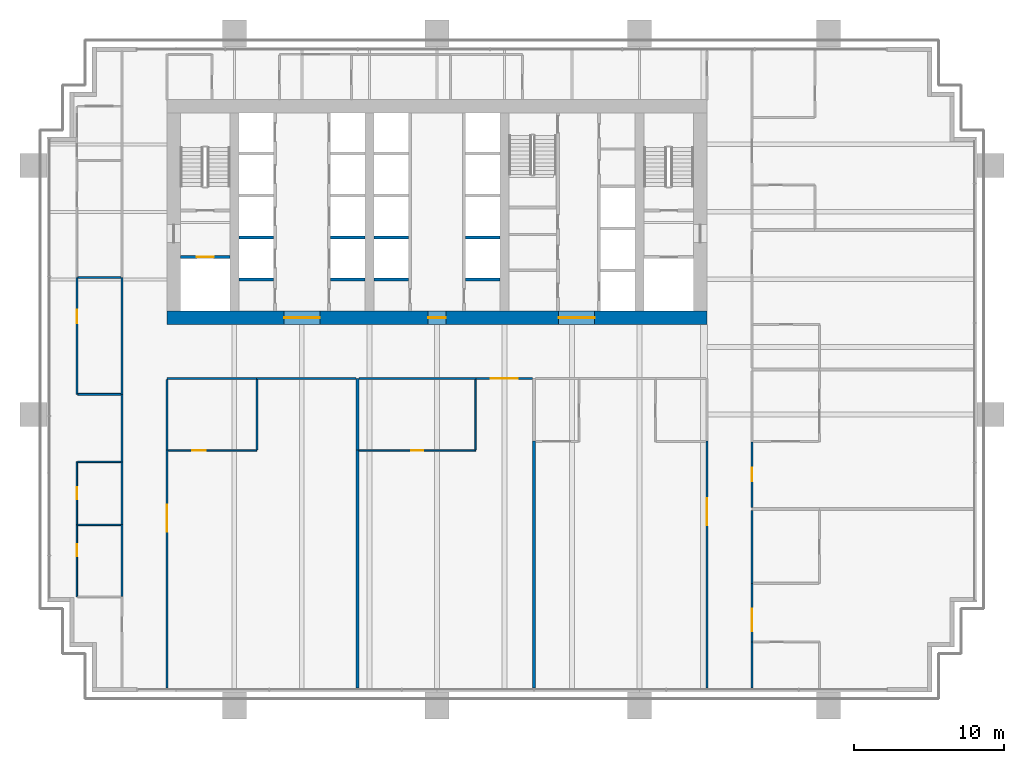
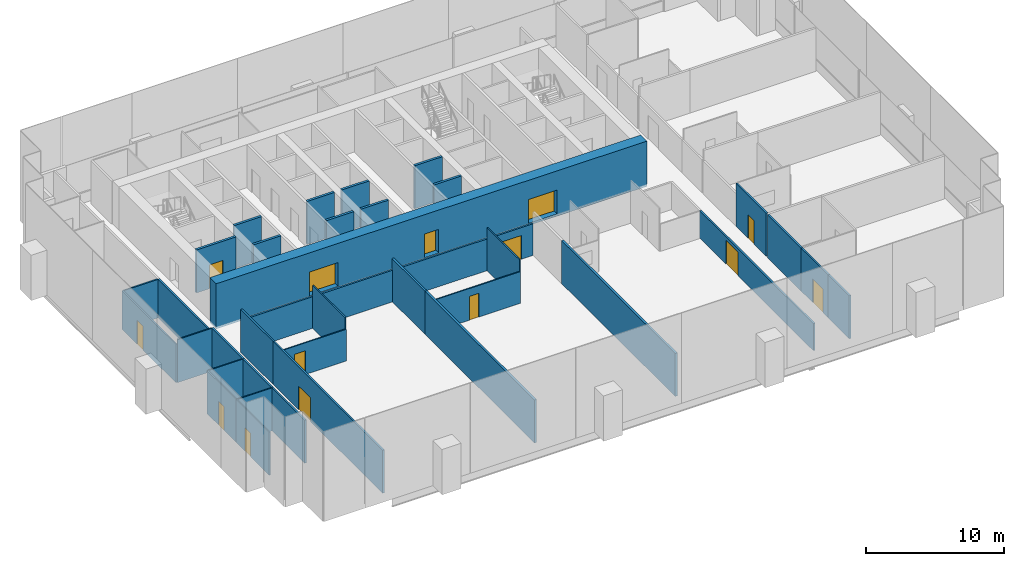
# One storey, part 12 of 19: 39 walls, 14 doors, 14 openings.
"""IFC4 building model written with IfcOpenShell, lengths in metres."""

from ifc_helpers import new_model, si_unit, direction, frame, frame_2d, origin, place, context, subcontext, project, spatial, rectangle, extrude, material, layer, layer_set, type_object, element, fill, save


model = new_model("IFC4")

# Units and contexts
model_context = context("Model", 3, precision=1e-05, world=origin(), true_north=direction((0.0, 1.0)))
body_context = subcontext(model_context, "Body", "Model", "MODEL_VIEW")
ifc_project = project(units=[si_unit("LENGTHUNIT", "METRE"), si_unit("AREAUNIT", "SQUARE_METRE"), si_unit("VOLUMEUNIT", "CUBIC_METRE"), si_unit("PLANEANGLEUNIT", "RADIAN"), si_unit("MASSUNIT", "GRAM", prefix="KILO")], contexts=[model_context])

# Site, building, storey
site_placement = place(None, origin())
site = spatial("IfcSite", under=ifc_project, at=site_placement, CompositionType="ELEMENT")
building_placement = place(site_placement, origin())
building = spatial("IfcBuilding", under=site, at=building_placement, Name="Rattan Terrace Tower", CompositionType="ELEMENT")
storey_placement = place(building_placement, frame((0.0, 0.0, 103.699951171875)))
storey = spatial("IfcBuildingStorey", under=building, at=storey_placement, Name="L23", CompositionType="ELEMENT", Elevation=103.699951171875)

# Wall, opening, door
ifc_material_1 = material(Name="Gypsum board partition")
ifc_layer_1 = layer(ifc_material_1, 0.199951171875)
ifc_layer_set_1 = layer_set([ifc_layer_1], Name="Core partition 200")
wall_type_1 = type_object("IfcWallType", Name="Core partition 200", PredefinedType="PARTITIONING", material=ifc_layer_set_1)
wall_1_placement = place(storey_placement, frame((-17.10009765625, -3.0, 0.0), z_axis=(0.0, 0.0, 1.0), x_axis=(1.0, 0.0, 0.0)))
wall_1 = element("IfcWall", 1, at=wall_1_placement, inside=storey, type_object=wall_type_1, Name="Fire-fighting lobby wall", PredefinedType="PARTITIONING", context=body_context, shape_type="SweptSolid", body=[
    extrude(rectangle(XDim=3.300048828125, YDim=0.199951171875, at=frame_2d((1.64990234375, 0.0))), origin(), (0.0, 0.0, 1.0), 3.800048828125),
])
opening_1_placement = place(wall_1_placement, frame((1.10009765625, 0.0, 0.0)))
opening_1 = element("IfcOpeningElement", 2, at=opening_1_placement, cuts=wall_1, Name="Opening L23-LD-FF1", PredefinedType="OPENING", context=body_context, shape_type="SweptSolid", body=[
    extrude(rectangle(XDim=1.10009765625, YDim=2.10009765625, at=frame_2d((0.550048828125, 1.050048828125))), frame((0.0, 0.110595703125, 0.0), z_axis=(0.0, -1.0, 0.0), x_axis=(1.0, 0.0, 0.0)), (0.0, 0.0, 1.0), 0.220947265625),
])
ifc_material_2 = material(Name="Brushed stainless landing door panel")
door_type_1 = type_object("IfcDoorType", Name="Core lift landing door 1100", OperationType="DOUBLE_DOOR_SLIDING", PredefinedType="DOOR", material=ifc_material_2)
door_1_placement = place(opening_1_placement, origin())
door_1 = element("IfcDoor", 3, at=door_1_placement, inside=storey, type_object=door_type_1, Name="Door L23-LD-FF1", OperationType="DOUBLE_DOOR_SLIDING", OverallHeight=2.10009765625, OverallWidth=1.10009765625, PredefinedType="DOOR", context=body_context, shape_type="SweptSolid", body=[
    extrude(rectangle(XDim=1.10009765625, YDim=2.10009765625, at=frame_2d((0.550048828125, 1.050048828125))), frame((0.0, 0.02490234375, 0.0), z_axis=(0.0, -1.0, 0.0), x_axis=(1.0, 0.0, 0.0)), (0.0, 0.0, 1.0), 0.050048828125),
])
fill(opening_1, door_1)

# Wall, openings, doors
ifc_material_3 = material(Name="Concrete C70/85", Category="concrete")
ifc_layer_2 = layer(ifc_material_3, 0.89990234375)
ifc_layer_set_2 = layer_set([ifc_layer_2], Name="Core ring wall 900 C70/85")
wall_type_2 = type_object("IfcWallType", Name="Core ring wall 900 C70/85", PredefinedType="SHEAR", material=ifc_layer_set_2)
wall_2_placement = place(storey_placement, frame((-18.0, -7.050048828125, -0.199951171875), z_axis=(0.0, 0.0, 1.0), x_axis=(1.0, 0.0, 0.0)))
wall_2 = element("IfcWall", 4, at=wall_2_placement, inside=storey, type_object=wall_type_2, Name="Rear core wall south", PredefinedType="SHEAR", context=body_context, shape_type="SweptSolid", body=[
    extrude(rectangle(XDim=36.0, YDim=0.89990234375, at=frame_2d((18.0, 0.0))), origin(), (0.0, 0.0, 1.0), 4.0),
])
opening_2_placement = place(wall_2_placement, frame((7.800048828125, 0.0, 0.199951171875)))
opening_2 = element("IfcOpeningElement", 5, at=opening_2_placement, cuts=wall_2, Name="Opening L23-D007", PredefinedType="OPENING", context=body_context, shape_type="SweptSolid", body=[
    extrude(rectangle(XDim=2.39990234375, YDim=2.10009765625, at=frame_2d((1.199951171875, 1.050048828125))), frame((0.0, 0.46044921875, 0.0), z_axis=(0.0, -1.0, 0.0), x_axis=(1.0, 0.0, 0.0)), (0.0, 0.0, 1.0), 0.9208984375),
])
opening_3_placement = place(wall_2_placement, frame((17.39990234375, 0.0, 0.199951171875)))
opening_3 = element("IfcOpeningElement", 6, at=opening_3_placement, cuts=wall_2, Name="Opening L23-D010", PredefinedType="OPENING", context=body_context, shape_type="SweptSolid", body=[
    extrude(rectangle(XDim=1.199951171875, YDim=2.10009765625, at=frame_2d((0.60009765625, 1.050048828125))), frame((0.0, 0.46044921875, 0.0), z_axis=(0.0, -1.0, 0.0), x_axis=(1.0, 0.0, 0.0)), (0.0, 0.0, 1.0), 0.9208984375),
])
opening_4_placement = place(wall_2_placement, frame((26.10009765625, 0.0, 0.199951171875)))
opening_4 = element("IfcOpeningElement", 7, at=opening_4_placement, cuts=wall_2, Name="Opening L23-D015", PredefinedType="OPENING", context=body_context, shape_type="SweptSolid", body=[
    extrude(rectangle(XDim=2.39990234375, YDim=2.10009765625, at=frame_2d((1.199951171875, 1.050048828125))), frame((0.0, 0.46044921875, 0.0), z_axis=(0.0, -1.0, 0.0), x_axis=(1.0, 0.0, 0.0)), (0.0, 0.0, 1.0), 0.9208984375),
])
ifc_material_4 = material(Name="Hollow-metal fire door leaf")
door_type_2 = type_object("IfcDoorType", Name="Core lift lobby door 2400", OperationType="NOTDEFINED", PredefinedType="DOOR", material=ifc_material_4)
door_2_placement = place(opening_2_placement, origin())
door_2 = element("IfcDoor", 8, at=door_2_placement, inside=storey, type_object=door_type_2, Name="Door L23-D007", OperationType="DOUBLE_DOOR_DOUBLE_SWING", OverallHeight=2.10009765625, OverallWidth=2.39990234375, PredefinedType="DOOR", context=body_context, shape_type="SweptSolid", body=[
    extrude(rectangle(XDim=2.39990234375, YDim=2.10009765625, at=frame_2d((1.199951171875, 1.050048828125))), frame((0.0, 0.02490234375, 0.0), z_axis=(0.0, -1.0, 0.0), x_axis=(1.0, 0.0, 0.0)), (0.0, 0.0, 1.0), 0.050048828125),
])
fill(opening_2, door_2)
door_3_placement = place(opening_4_placement, origin())
door_3 = element("IfcDoor", 9, at=door_3_placement, inside=storey, type_object=door_type_2, Name="Door L23-D015", OperationType="DOUBLE_DOOR_DOUBLE_SWING", OverallHeight=2.10009765625, OverallWidth=2.39990234375, PredefinedType="DOOR", context=body_context, shape_type="SweptSolid", body=[
    extrude(rectangle(XDim=2.39990234375, YDim=2.10009765625, at=frame_2d((1.199951171875, 1.050048828125))), frame((0.0, 0.02490234375, 0.0), z_axis=(0.0, -1.0, 0.0), x_axis=(1.0, 0.0, 0.0)), (0.0, 0.0, 1.0), 0.050048828125),
])
fill(opening_4, door_3)
ifc_material_5 = material(Name="Hollow-metal fire door leaf")
door_type_3 = type_object("IfcDoorType", Name="Core riser door 1200", OperationType="NOTDEFINED", PredefinedType="DOOR", material=ifc_material_5)
door_4_placement = place(opening_3_placement, origin())
door_4 = element("IfcDoor", 10, at=door_4_placement, inside=storey, type_object=door_type_3, Name="Door L23-D010", OperationType="SINGLE_SWING_LEFT", OverallHeight=2.10009765625, OverallWidth=1.199951171875, PredefinedType="DOOR", context=body_context, shape_type="SweptSolid", body=[
    extrude(rectangle(XDim=1.199951171875, YDim=2.10009765625, at=frame_2d((0.60009765625, 1.050048828125))), frame((0.0, 0.02490234375, 0.0), z_axis=(0.0, -1.0, 0.0), x_axis=(1.0, 0.0, 0.0)), (0.0, 0.0, 1.0), 0.050048828125),
])
fill(opening_3, door_4)

# Walls
ifc_material_6 = material(Name="Double steel stud acoustic partition, gypsum board, mineral wool, fire rated", Category="steel")
ifc_layer_3 = layer(ifc_material_6, 0.179931640625)
ifc_layer_set_3 = layer_set([ifc_layer_3], Name="Floors Acoustic Party Wall 180")
wall_type_3 = type_object("IfcWallType", Name="Floors Acoustic Party Wall 180", PredefinedType="PARTITIONING", material=ifc_layer_set_3)
wall_3_placement = place(storey_placement, frame((-5.2939453125, -15.8798828125, 0.0), z_axis=(0.0, 0.0, 1.0), x_axis=(0.0, -1.0, 0.0)))
element("IfcWall", 11, at=wall_3_placement, inside=storey, type_object=wall_type_3, Name="pt-L23-073", PredefinedType="PARTITIONING", context=body_context, shape_type="SweptSolid", body=[
    extrude(rectangle(XDim=15.860107421875, YDim=0.179931640625, at=frame_2d((7.93017578125, 0.0))), origin(), (0.0, 0.0, 1.0), 3.800048828125),
])
wall_4_placement = place(storey_placement, frame((-5.2939453125, -11.10009765625, 0.0), z_axis=(0.0, 0.0, 1.0), x_axis=(0.0, -1.0, 0.0)))
element("IfcWall", 12, at=wall_4_placement, inside=storey, type_object=wall_type_3, Name="pt-L23-074", PredefinedType="PARTITIONING", context=body_context, shape_type="SweptSolid", body=[
    extrude(rectangle(XDim=4.77978515625, YDim=0.179931640625, at=frame_2d((2.389892578125, 0.0))), origin(), (0.0, 0.0, 1.0), 3.800048828125),
])
wall_5_placement = place(storey_placement, frame((6.470947265625, -15.280029296875, 0.0), z_axis=(0.0, 0.0, 1.0), x_axis=(0.0, -1.0, 0.0)))
element("IfcWall", 13, at=wall_5_placement, inside=storey, type_object=wall_type_3, Name="pt-L23-077", PredefinedType="PARTITIONING", context=body_context, shape_type="SweptSolid", body=[
    extrude(rectangle(XDim=16.4599609375, YDim=0.179931640625, at=frame_2d((8.22998046875, 0.0))), origin(), (0.0, 0.0, 1.0), 3.800048828125),
])

# Wall, opening, door
ifc_material_7 = material(Name="Gypsum board partition on steel studs", Category="steel")
ifc_layer_4 = layer(ifc_material_7, 0.10009765625)
ifc_layer_set_4 = layer_set([ifc_layer_4], Name="Floors Partition 100")
wall_type_4 = type_object("IfcWallType", Name="Floors Partition 100", PredefinedType="PARTITIONING", material=ifc_layer_set_4)
wall_6_placement = place(storey_placement, frame((-24.0, -20.840087890625, 0.0), z_axis=(0.0, 0.0, 1.0), x_axis=(0.0, -1.0, 0.0)))
wall_6 = element("IfcWall", 14, at=wall_6_placement, inside=storey, type_object=wall_type_4, Name="pt-L23-032", PredefinedType="PARTITIONING", context=body_context, shape_type="SweptSolid", body=[
    extrude(rectangle(XDim=4.81982421875, YDim=0.10009765625, at=frame_2d((2.409912109375, 0.0))), origin(), (0.0, 0.0, 1.0), 3.800048828125),
])
opening_5_placement = place(wall_6_placement, frame((1.305908203125, 0.0, 0.0)))
opening_5 = element("IfcOpeningElement", 15, at=opening_5_placement, cuts=wall_6, Name="Opening L23-D101", PredefinedType="OPENING", context=body_context, shape_type="SweptSolid", body=[
    extrude(rectangle(XDim=0.800048828125, YDim=2.10009765625, at=frame_2d((0.39990234375, 1.050048828125))), frame((0.0, 0.060546875, 0.0), z_axis=(0.0, -1.0, 0.0), x_axis=(1.0, 0.0, 0.0)), (0.0, 0.0, 1.0), 0.12109375),
])
ifc_material_8 = material(Name="Solid core timber door, painted", Category="wood")
door_type_4 = type_object("IfcDoorType", Name="Floors Store Door 800x2100", OperationType="NOTDEFINED", PredefinedType="DOOR", material=ifc_material_8)
door_5_placement = place(opening_5_placement, origin())
door_5 = element("IfcDoor", 16, at=door_5_placement, inside=storey, type_object=door_type_4, Name="d-L23-101", OperationType="SINGLE_SWING_LEFT", OverallHeight=2.10009765625, OverallWidth=0.800048828125, PredefinedType="DOOR", context=body_context, shape_type="SweptSolid", body=[
    extrude(rectangle(XDim=0.800048828125, YDim=2.10009765625, at=frame_2d((0.39990234375, 1.050048828125))), frame((0.0, 0.02490234375, 0.0), z_axis=(0.0, -1.0, 0.0), x_axis=(1.0, 0.0, 0.0)), (0.0, 0.0, 1.0), 0.050048828125),
])
fill(opening_5, door_5)

wall_7_placement = place(storey_placement, frame((-24.0, -16.659912109375, 0.0), z_axis=(0.0, 0.0, 1.0), x_axis=(0.0, -1.0, 0.0)))
wall_7 = element("IfcWall", 17, at=wall_7_placement, inside=storey, type_object=wall_type_4, Name="pt-L23-034", PredefinedType="PARTITIONING", context=body_context, shape_type="SweptSolid", body=[
    extrude(rectangle(XDim=4.18017578125, YDim=0.10009765625, at=frame_2d((2.090087890625, 0.0))), origin(), (0.0, 0.0, 1.0), 3.800048828125),
])
opening_6_placement = place(wall_7_placement, frame((1.68994140625, 0.0, 0.0)))
opening_6 = element("IfcOpeningElement", 18, at=opening_6_placement, cuts=wall_7, Name="Opening L23-D102", PredefinedType="OPENING", context=body_context, shape_type="SweptSolid", body=[
    extrude(rectangle(XDim=0.800048828125, YDim=2.10009765625, at=frame_2d((0.39990234375, 1.050048828125))), frame((0.0, 0.060546875, 0.0), z_axis=(0.0, -1.0, 0.0), x_axis=(1.0, 0.0, 0.0)), (0.0, 0.0, 1.0), 0.12109375),
])
door_6_placement = place(opening_6_placement, origin())
door_6 = element("IfcDoor", 19, at=door_6_placement, inside=storey, type_object=door_type_4, Name="d-L23-102", OperationType="SINGLE_SWING_LEFT", OverallHeight=2.10009765625, OverallWidth=0.800048828125, PredefinedType="DOOR", context=body_context, shape_type="SweptSolid", body=[
    extrude(rectangle(XDim=0.800048828125, YDim=2.10009765625, at=frame_2d((0.39990234375, 1.050048828125))), frame((0.0, 0.02490234375, 0.0), z_axis=(0.0, -1.0, 0.0), x_axis=(1.0, 0.0, 0.0)), (0.0, 0.0, 1.0), 0.050048828125),
])
fill(opening_6, door_6)

# Walls
for number, where, z_axis, x_axis, name in (
    (20, (-21.074951171875, -16.659912109375, 0.0), (0.0, 0.0, 1.0), (-1.0, 0.0, 0.0), "pt-L23-035"),
    (21, (-23.949951171875, -20.860107421875, 0.0), (0.0, 0.0, 1.0), (1.0, 0.0, 0.0), "pt-L23-041"),
):
    element("IfcWall", number, at=place(storey_placement, frame(where, z_axis=z_axis, x_axis=x_axis)), inside=storey, type_object=wall_type_4, Name=name, PredefinedType="PARTITIONING", context=body_context, shape_type="SweptSolid", body=[
        extrude(rectangle(XDim=2.875, YDim=0.10009765625, at=frame_2d((1.4375, 0.0))), origin(), (0.0, 0.0, 1.0), 3.800048828125),
    ])

# Wall, opening, door
wall_8_placement = place(storey_placement, frame((-17.925048828125, -15.89990234375, 0.0), z_axis=(0.0, 0.0, 1.0), x_axis=(1.0, 0.0, 0.0)))
wall_8 = element("IfcWall", 22, at=wall_8_placement, inside=storey, type_object=wall_type_4, Name="pt-L23-071", PredefinedType="PARTITIONING", context=body_context, shape_type="SweptSolid", body=[
    extrude(rectangle(XDim=5.925048828125, YDim=0.10009765625, at=frame_2d((2.96240234375, 0.0))), origin(), (0.0, 0.0, 1.0), 2.800048828125),
])
opening_7_placement = place(wall_8_placement, frame((1.60791015625, 0.0, 0.0)))
opening_7 = element("IfcOpeningElement", 23, at=opening_7_placement, cuts=wall_8, Name="Opening L23-D122", PredefinedType="OPENING", context=body_context, shape_type="SweptSolid", body=[
    extrude(rectangle(XDim=0.89990234375, YDim=2.10009765625, at=frame_2d((0.449951171875, 1.050048828125))), frame((0.0, 0.060546875, 0.0), z_axis=(0.0, -1.0, 0.0), x_axis=(1.0, 0.0, 0.0)), (0.0, 0.0, 1.0), 0.12109375),
])
ifc_material_9 = material(Name="Solid core timber door, painted", Category="wood")
door_type_5 = type_object("IfcDoorType", Name="Floors Door 900x2100", OperationType="NOTDEFINED", PredefinedType="DOOR", material=ifc_material_9)
door_7_placement = place(opening_7_placement, origin())
door_7 = element("IfcDoor", 24, at=door_7_placement, inside=storey, type_object=door_type_5, Name="d-L23-122", OperationType="SINGLE_SWING_LEFT", OverallHeight=2.10009765625, OverallWidth=0.89990234375, PredefinedType="DOOR", context=body_context, shape_type="SweptSolid", body=[
    extrude(rectangle(XDim=0.89990234375, YDim=2.10009765625, at=frame_2d((0.449951171875, 1.050048828125))), frame((0.0, 0.02490234375, 0.0), z_axis=(0.0, -1.0, 0.0), x_axis=(1.0, 0.0, 0.0)), (0.0, 0.0, 1.0), 0.050048828125),
])
fill(opening_7, door_7)

# Wall
wall_9_placement = place(storey_placement, frame((-12.0, -15.85009765625, 0.0), z_axis=(0.0, 0.0, 1.0), x_axis=(0.0, 1.0, 0.0)))
element("IfcWall", 25, at=wall_9_placement, inside=storey, type_object=wall_type_4, Name="pt-L23-072", PredefinedType="PARTITIONING", context=body_context, shape_type="SweptSolid", body=[
    extrude(rectangle(XDim=4.675048828125, YDim=0.10009765625, at=frame_2d((2.33740234375, 0.0))), origin(), (0.0, 0.0, 1.0), 3.800048828125),
])

# Wall, opening, door
wall_10_placement = place(storey_placement, frame((-5.2041015625, -15.89990234375, 0.0), z_axis=(0.0, 0.0, 1.0), x_axis=(1.0, 0.0, 0.0)))
wall_10 = element("IfcWall", 26, at=wall_10_placement, inside=storey, type_object=wall_type_4, Name="pt-L23-075", PredefinedType="PARTITIONING", context=body_context, shape_type="SweptSolid", body=[
    extrude(rectangle(XDim=7.775146484375, YDim=0.10009765625, at=frame_2d((3.8876953125, 0.0))), origin(), (0.0, 0.0, 1.0), 2.800048828125),
])
opening_8_placement = place(wall_10_placement, frame((3.488037109375, 0.0, 0.0)))
opening_8 = element("IfcOpeningElement", 27, at=opening_8_placement, cuts=wall_10, Name="Opening L23-D124", PredefinedType="OPENING", context=body_context, shape_type="SweptSolid", body=[
    extrude(rectangle(XDim=0.800048828125, YDim=2.10009765625, at=frame_2d((0.39990234375, 1.050048828125))), frame((0.0, 0.060546875, 0.0), z_axis=(0.0, -1.0, 0.0), x_axis=(1.0, 0.0, 0.0)), (0.0, 0.0, 1.0), 0.12109375),
])
door_8_placement = place(opening_8_placement, origin())
door_8 = element("IfcDoor", 28, at=door_8_placement, inside=storey, type_object=door_type_4, Name="d-L23-124", OperationType="SINGLE_SWING_LEFT", OverallHeight=2.10009765625, OverallWidth=0.800048828125, PredefinedType="DOOR", context=body_context, shape_type="SweptSolid", body=[
    extrude(rectangle(XDim=0.800048828125, YDim=2.10009765625, at=frame_2d((0.39990234375, 1.050048828125))), frame((0.0, 0.02490234375, 0.0), z_axis=(0.0, -1.0, 0.0), x_axis=(1.0, 0.0, 0.0)), (0.0, 0.0, 1.0), 0.050048828125),
])
fill(opening_8, door_8)

# Walls
wall_11_placement = place(storey_placement, frame((2.571044921875, -15.85009765625, 0.0), z_axis=(0.0, 0.0, 1.0), x_axis=(0.0, 1.0, 0.0)))
element("IfcWall", 29, at=wall_11_placement, inside=storey, type_object=wall_type_4, Name="pt-L23-076", PredefinedType="PARTITIONING", context=body_context, shape_type="SweptSolid", body=[
    extrude(rectangle(XDim=4.675048828125, YDim=0.10009765625, at=frame_2d((2.33740234375, 0.0))), origin(), (0.0, 0.0, 1.0), 3.800048828125),
])
ifc_material_10 = material(Name="Gypsum board partition on steel studs, fire rated", Category="steel")
ifc_layer_5 = layer(ifc_material_10, 0.14990234375)
ifc_layer_set_5 = layer_set([ifc_layer_5], Name="Floors Tenancy Wall 150")
wall_type_5 = type_object("IfcWallType", Name="Floors Tenancy Wall 150", PredefinedType="PARTITIONING", material=ifc_layer_set_5)
wall_12_placement = place(storey_placement, frame((-21.0, -16.679931640625, 0.0), z_axis=(0.0, 0.0, 1.0), x_axis=(0.0, 1.0, 0.0)))
element("IfcWall", 30, at=wall_12_placement, inside=storey, type_object=wall_type_5, Name="pt-L23-003", PredefinedType="PARTITIONING", context=body_context, shape_type="SweptSolid", body=[
    extrude(rectangle(XDim=4.5, YDim=0.14990234375, at=frame_2d((2.25, 0.0))), origin(), (0.0, 0.0, 1.0), 3.800048828125),
])
wall_13_placement = place(storey_placement, frame((-21.0, -25.639892578125, 0.0), z_axis=(0.0, 0.0, 1.0), x_axis=(0.0, 1.0, 0.0)))
element("IfcWall", 31, at=wall_13_placement, inside=storey, type_object=wall_type_5, Name="pt-L23-004", PredefinedType="PARTITIONING", context=body_context, shape_type="SweptSolid", body=[
    extrude(rectangle(XDim=4.7998046875, YDim=0.14990234375, at=frame_2d((2.39990234375, 0.0))), origin(), (0.0, 0.0, 1.0), 3.800048828125),
])
wall_14_placement = place(storey_placement, frame((-21.0, -20.840087890625, 0.0), z_axis=(0.0, 0.0, 1.0), x_axis=(0.0, 1.0, 0.0)))
element("IfcWall", 32, at=wall_14_placement, inside=storey, type_object=wall_type_5, Name="pt-L23-005", PredefinedType="PARTITIONING", context=body_context, shape_type="SweptSolid", body=[
    extrude(rectangle(XDim=4.16015625, YDim=0.14990234375, at=frame_2d((2.080078125, 0.0))), origin(), (0.0, 0.0, 1.0), 3.800048828125),
])
wall_15_placement = place(storey_placement, frame((-21.0, -12.179931640625, 0.0), z_axis=(0.0, 0.0, 1.0), x_axis=(0.0, 1.0, 0.0)))
element("IfcWall", 33, at=wall_15_placement, inside=storey, type_object=wall_type_5, Name="pt-L23-006", PredefinedType="PARTITIONING", context=body_context, shape_type="SweptSolid", body=[
    extrude(rectangle(XDim=7.800048828125, YDim=0.14990234375, at=frame_2d((3.89990234375, 0.0))), origin(), (0.0, 0.0, 1.0), 3.400146484375),
])

# Wall, opening, door
wall_16_placement = place(storey_placement, frame((21.0, -24.780029296875, 0.0), z_axis=(0.0, 0.0, 1.0), x_axis=(0.0, -1.0, 0.0)))
wall_16 = element("IfcWall", 34, at=wall_16_placement, inside=storey, type_object=wall_type_5, Name="pt-L23-009", PredefinedType="PARTITIONING", context=body_context, shape_type="SweptSolid", body=[
    extrude(rectangle(XDim=3.89990234375, YDim=0.14990234375, at=frame_2d((1.949951171875, 0.0))), origin(), (0.0, 0.0, 1.0), 3.800048828125),
])
opening_9_placement = place(wall_16_placement, frame((1.675048828125, 0.0, 0.0)))
opening_9 = element("IfcOpeningElement", 35, at=opening_9_placement, cuts=wall_16, Name="Opening L23-D106", PredefinedType="OPENING", context=body_context, shape_type="SweptSolid", body=[
    extrude(rectangle(XDim=1.5, YDim=2.10009765625, at=frame_2d((0.75, 1.050048828125))), frame((0.0, 0.08544921875, 0.0), z_axis=(0.0, -1.0, 0.0), x_axis=(1.0, 0.0, 0.0)), (0.0, 0.0, 1.0), 0.1708984375),
])
ifc_material_11 = material(Name="Steel fire door set", Category="steel")
door_type_6 = type_object("IfcDoorType", Name="Floors Unit Door Pair FD30S 1500x2100", OperationType="NOTDEFINED", PredefinedType="DOOR", material=ifc_material_11)
door_9_placement = place(opening_9_placement, origin())
door_9 = element("IfcDoor", 36, at=door_9_placement, inside=storey, type_object=door_type_6, Name="d-L23-106", OperationType="DOUBLE_DOOR_SINGLE_SWING", OverallHeight=2.10009765625, OverallWidth=1.5, PredefinedType="DOOR", context=body_context, shape_type="SweptSolid", body=[
    extrude(rectangle(XDim=1.5, YDim=2.10009765625, at=frame_2d((0.75, 1.050048828125))), frame((0.0, 0.02490234375, 0.0), z_axis=(0.0, -1.0, 0.0), x_axis=(1.0, 0.0, 0.0)), (0.0, 0.0, 1.0), 0.050048828125),
])
fill(opening_9, door_9)

# Walls
wall_17_placement = place(storey_placement, frame((21.0, -28.679931640625, 0.0), z_axis=(0.0, 0.0, 1.0), x_axis=(0.0, -1.0, 0.0)))
element("IfcWall", 37, at=wall_17_placement, inside=storey, type_object=wall_type_5, Name="pt-L23-010", PredefinedType="PARTITIONING", context=body_context, shape_type="SweptSolid", body=[
    extrude(rectangle(XDim=3.06005859375, YDim=0.14990234375, at=frame_2d((1.530029296875, 0.0))), origin(), (0.0, 0.0, 1.0), 3.800048828125),
])
wall_18_placement = place(storey_placement, frame((21.0, -19.889892578125, 0.0), z_axis=(0.0, 0.0, 1.0), x_axis=(0.0, -1.0, 0.0)))
element("IfcWall", 38, at=wall_18_placement, inside=storey, type_object=wall_type_5, Name="pt-L23-011", PredefinedType="PARTITIONING", context=body_context, shape_type="SweptSolid", body=[
    extrude(rectangle(XDim=4.89013671875, YDim=0.14990234375, at=frame_2d((2.445068359375, 0.0))), origin(), (0.0, 0.0, 1.0), 3.800048828125),
])

# Wall, opening, door
wall_19_placement = place(storey_placement, frame((21.0, -15.320068359375, 0.0), z_axis=(0.0, 0.0, 1.0), x_axis=(0.0, -1.0, 0.0)))
wall_19 = element("IfcWall", 39, at=wall_19_placement, inside=storey, type_object=wall_type_5, Name="pt-L23-012", PredefinedType="PARTITIONING", context=body_context, shape_type="SweptSolid", body=[
    extrude(rectangle(XDim=4.389892578125, YDim=0.14990234375, at=frame_2d((2.19482421875, 0.0))), origin(), (0.0, 0.0, 1.0), 3.800048828125),
])
opening_10_placement = place(wall_19_placement, frame((1.7451171875, 0.0, 0.0)))
opening_10 = element("IfcOpeningElement", 40, at=opening_10_placement, cuts=wall_19, Name="Opening L23-D109", PredefinedType="OPENING", context=body_context, shape_type="SweptSolid", body=[
    extrude(rectangle(XDim=0.89990234375, YDim=2.10009765625, at=frame_2d((0.449951171875, 1.050048828125))), frame((0.0, 0.08544921875, 0.0), z_axis=(0.0, -1.0, 0.0), x_axis=(1.0, 0.0, 0.0)), (0.0, 0.0, 1.0), 0.1708984375),
])
ifc_material_12 = material(Name="Steel fire door set", Category="steel")
door_type_7 = type_object("IfcDoorType", Name="Floors Fire Door FD30S 900x2100", OperationType="NOTDEFINED", PredefinedType="DOOR", material=ifc_material_12)
door_10_placement = place(opening_10_placement, origin())
door_10 = element("IfcDoor", 41, at=door_10_placement, inside=storey, type_object=door_type_7, Name="d-L23-109", OperationType="SINGLE_SWING_RIGHT", OverallHeight=2.10009765625, OverallWidth=0.89990234375, PredefinedType="DOOR", context=body_context, shape_type="SweptSolid", body=[
    extrude(rectangle(XDim=0.89990234375, YDim=2.10009765625, at=frame_2d((0.449951171875, 1.050048828125))), frame((0.0, 0.02490234375, 0.0), z_axis=(0.0, -1.0, 0.0), x_axis=(1.0, 0.0, 0.0)), (0.0, 0.0, 1.0), 0.050048828125),
])
fill(opening_10, door_10)

wall_20_placement = place(storey_placement, frame((-18.0, -15.8798828125, 0.0), z_axis=(0.0, 0.0, 1.0), x_axis=(0.0, -1.0, 0.0)))
wall_20 = element("IfcWall", 42, at=wall_20_placement, inside=storey, type_object=wall_type_5, Name="pt-L23-021", PredefinedType="PARTITIONING", context=body_context, shape_type="SweptSolid", body=[
    extrude(rectangle(XDim=15.860107421875, YDim=0.14990234375, at=frame_2d((7.93017578125, 0.0))), origin(), (0.0, 0.0, 1.0), 3.800048828125),
])
opening_11_placement = place(wall_20_placement, frame((3.639892578125, 0.0, 0.0)))
opening_11 = element("IfcOpeningElement", 43, at=opening_11_placement, cuts=wall_20, Name="Opening L23-D121", PredefinedType="OPENING", context=body_context, shape_type="SweptSolid", body=[
    extrude(rectangle(XDim=1.800048828125, YDim=2.10009765625, at=frame_2d((0.89990234375, 1.050048828125))), frame((0.0, 0.08544921875, 0.0), z_axis=(0.0, -1.0, 0.0), x_axis=(1.0, 0.0, 0.0)), (0.0, 0.0, 1.0), 0.1708984375),
])
ifc_material_13 = material(Name="Steel fire door set", Category="steel")
door_type_8 = type_object("IfcDoorType", Name="Floors Fire Door Pair FD30S 1800x2100", OperationType="NOTDEFINED", PredefinedType="DOOR", material=ifc_material_13)
door_11_placement = place(opening_11_placement, origin())
door_11 = element("IfcDoor", 44, at=door_11_placement, inside=storey, type_object=door_type_8, Name="d-L23-121", OperationType="DOUBLE_DOOR_SINGLE_SWING", OverallHeight=2.10009765625, OverallWidth=1.800048828125, PredefinedType="DOOR", context=body_context, shape_type="SweptSolid", body=[
    extrude(rectangle(XDim=1.800048828125, YDim=2.10009765625, at=frame_2d((0.89990234375, 1.050048828125))), frame((0.0, 0.02490234375, 0.0), z_axis=(0.0, -1.0, 0.0), x_axis=(1.0, 0.0, 0.0)), (0.0, 0.0, 1.0), 0.050048828125),
])
fill(opening_11, door_11)

# Walls
wall_21_placement = place(storey_placement, frame((-5.384033203125, -11.10009765625, 0.0), z_axis=(0.0, 0.0, 1.0), x_axis=(-1.0, 0.0, 0.0)))
element("IfcWall", 45, at=wall_21_placement, inside=storey, type_object=wall_type_5, Name="pt-L23-022", PredefinedType="PARTITIONING", context=body_context, shape_type="SweptSolid", body=[
    extrude(rectangle(XDim=6.635986328125, YDim=0.14990234375, at=frame_2d((3.31787109375, 0.0))), origin(), (0.0, 0.0, 1.0), 2.800048828125),
])
wall_22_placement = place(storey_placement, frame((-18.0, -11.175048828125, 0.0), z_axis=(0.0, 0.0, 1.0), x_axis=(0.0, -1.0, 0.0)))
element("IfcWall", 46, at=wall_22_placement, inside=storey, type_object=wall_type_5, Name="pt-L23-023", PredefinedType="PARTITIONING", context=body_context, shape_type="SweptSolid", body=[
    extrude(rectangle(XDim=4.704833984375, YDim=0.14990234375, at=frame_2d((2.3525390625, 0.0))), origin(), (0.0, 0.0, 1.0), 3.800048828125),
])
wall_23_placement = place(storey_placement, frame((-12.02001953125, -11.10009765625, 0.0), z_axis=(0.0, 0.0, 1.0), x_axis=(-1.0, 0.0, 0.0)))
element("IfcWall", 47, at=wall_23_placement, inside=storey, type_object=wall_type_5, Name="pt-L23-024", PredefinedType="PARTITIONING", context=body_context, shape_type="SweptSolid", body=[
    extrude(rectangle(XDim=5.97998046875, YDim=0.14990234375, at=frame_2d((2.989990234375, 0.0))), origin(), (0.0, 0.0, 1.0), 2.800048828125),
])

# Wall, opening, door
wall_24_placement = place(storey_placement, frame((6.381103515625, -11.09912109375, 0.0), z_axis=(0.0, 0.0, 1.0), x_axis=(-1.0, 0.0, 0.0)))
wall_24 = element("IfcWall", 48, at=wall_24_placement, inside=storey, type_object=wall_type_5, Name="pt-L23-025", PredefinedType="PARTITIONING", context=body_context, shape_type="SweptSolid", body=[
    extrude(rectangle(XDim=3.7900390625, YDim=0.14990234375, at=frame_2d((1.89501953125, 0.0))), origin(), (0.0, 0.0, 1.0), 2.800048828125),
])
opening_12_placement = place(wall_24_placement, frame((0.9951171875, 0.0, 0.0)))
opening_12 = element("IfcOpeningElement", 49, at=opening_12_placement, cuts=wall_24, Name="Opening L23-D123", PredefinedType="OPENING", context=body_context, shape_type="SweptSolid", body=[
    extrude(rectangle(XDim=1.800048828125, YDim=2.10009765625, at=frame_2d((0.89990234375, 1.050048828125))), frame((0.0, 0.08544921875, 0.0), z_axis=(0.0, -1.0, 0.0), x_axis=(1.0, 0.0, 0.0)), (0.0, 0.0, 1.0), 0.1708984375),
])
door_12_placement = place(opening_12_placement, origin())
door_12 = element("IfcDoor", 50, at=door_12_placement, inside=storey, type_object=door_type_8, Name="d-L23-123", OperationType="DOUBLE_DOOR_SINGLE_SWING", OverallHeight=2.10009765625, OverallWidth=1.800048828125, PredefinedType="DOOR", context=body_context, shape_type="SweptSolid", body=[
    extrude(rectangle(XDim=1.800048828125, YDim=2.10009765625, at=frame_2d((0.89990234375, 1.050048828125))), frame((0.0, 0.02490234375, 0.0), z_axis=(0.0, -1.0, 0.0), x_axis=(1.0, 0.0, 0.0)), (0.0, 0.0, 1.0), 0.050048828125),
])
fill(opening_12, door_12)

# Wall
wall_25_placement = place(storey_placement, frame((2.591064453125, -11.10009765625, 0.0), z_axis=(0.0, 0.0, 1.0), x_axis=(-1.0, 0.0, 0.0)))
element("IfcWall", 51, at=wall_25_placement, inside=storey, type_object=wall_type_5, Name="pt-L23-026", PredefinedType="PARTITIONING", context=body_context, shape_type="SweptSolid", body=[
    extrude(rectangle(XDim=7.795166015625, YDim=0.14990234375, at=frame_2d((3.8974609375, 0.0))), origin(), (0.0, 0.0, 1.0), 2.800048828125),
])

# Wall, opening, door
wall_26_placement = place(storey_placement, frame((18.0, -31.739990234375, 0.0), z_axis=(0.0, 0.0, 1.0), x_axis=(0.0, 1.0, 0.0)))
wall_26 = element("IfcWall", 52, at=wall_26_placement, inside=storey, type_object=wall_type_5, Name="pt-L23-028", PredefinedType="PARTITIONING", context=body_context, shape_type="SweptSolid", body=[
    extrude(rectangle(XDim=16.4599609375, YDim=0.14990234375, at=frame_2d((8.22998046875, 0.0))), origin(), (0.0, 0.0, 1.0), 2.400146484375),
])
opening_13_placement = place(wall_26_placement, frame((10.8701171875, 0.0, 0.0)))
opening_13 = element("IfcOpeningElement", 53, at=opening_13_placement, cuts=wall_26, Name="Opening L23-D125", PredefinedType="OPENING", context=body_context, shape_type="SweptSolid", body=[
    extrude(rectangle(XDim=1.800048828125, YDim=2.10009765625, at=frame_2d((0.89990234375, 1.050048828125))), frame((0.0, 0.08544921875, 0.0), z_axis=(0.0, -1.0, 0.0), x_axis=(1.0, 0.0, 0.0)), (0.0, 0.0, 1.0), 0.1708984375),
])
door_13_placement = place(opening_13_placement, origin())
door_13 = element("IfcDoor", 54, at=door_13_placement, inside=storey, type_object=door_type_8, Name="d-L23-125", OperationType="DOUBLE_DOOR_SINGLE_SWING", OverallHeight=2.10009765625, OverallWidth=1.800048828125, PredefinedType="DOOR", context=body_context, shape_type="SweptSolid", body=[
    extrude(rectangle(XDim=1.800048828125, YDim=2.10009765625, at=frame_2d((0.89990234375, 1.050048828125))), frame((0.0, 0.02490234375, 0.0), z_axis=(0.0, -1.0, 0.0), x_axis=(1.0, 0.0, 0.0)), (0.0, 0.0, 1.0), 0.050048828125),
])
fill(opening_13, door_13)

ifc_material_14 = material(Name="Moisture resistant gypsum board partition on steel studs with service cavity", Category="steel")
ifc_layer_6 = layer(ifc_material_14, 0.1201171875)
ifc_layer_set_6 = layer_set([ifc_layer_6], Name="Floors Wet Wall 120")
wall_type_6 = type_object("IfcWallType", Name="Floors Wet Wall 120", PredefinedType="PARTITIONING", material=ifc_layer_set_6)
wall_27_placement = place(storey_placement, frame((-24.0, -4.340087890625, 0.0), z_axis=(0.0, 0.0, 1.0), x_axis=(0.0, -1.0, 0.0)))
wall_27 = element("IfcWall", 55, at=wall_27_placement, inside=storey, type_object=wall_type_6, Name="pt-L23-036", PredefinedType="PARTITIONING", context=body_context, shape_type="SweptSolid", body=[
    extrude(rectangle(XDim=7.81982421875, YDim=0.1201171875, at=frame_2d((3.909912109375, 0.0))), origin(), (0.0, 0.0, 1.0), 3.400146484375),
])
opening_14_placement = place(wall_27_placement, frame((2.176025390625, 0.0, 0.0)))
opening_14 = element("IfcOpeningElement", 56, at=opening_14_placement, cuts=wall_27, Name="Opening L23-D103", PredefinedType="OPENING", context=body_context, shape_type="SweptSolid", body=[
    extrude(rectangle(XDim=0.89990234375, YDim=2.10009765625, at=frame_2d((0.449951171875, 1.050048828125))), frame((0.0, 0.070556640625, 0.0), z_axis=(0.0, -1.0, 0.0), x_axis=(1.0, 0.0, 0.0)), (0.0, 0.0, 1.0), 0.14111328125),
])
door_14_placement = place(opening_14_placement, origin())
door_14 = element("IfcDoor", 57, at=door_14_placement, inside=storey, type_object=door_type_5, Name="d-L23-103", OperationType="SINGLE_SWING_LEFT", OverallHeight=2.10009765625, OverallWidth=0.89990234375, PredefinedType="DOOR", context=body_context, shape_type="SweptSolid", body=[
    extrude(rectangle(XDim=0.89990234375, YDim=2.10009765625, at=frame_2d((0.449951171875, 1.050048828125))), frame((0.0, 0.02490234375, 0.0), z_axis=(0.0, -1.0, 0.0), x_axis=(1.0, 0.0, 0.0)), (0.0, 0.0, 1.0), 0.050048828125),
])
fill(opening_14, door_14)

# Walls
wall_28_placement = place(storey_placement, frame((-23.93994140625, -12.159912109375, 0.0), z_axis=(0.0, 0.0, 1.0), x_axis=(1.0, 0.0, 0.0)))
element("IfcWall", 58, at=wall_28_placement, inside=storey, type_object=wall_type_6, Name="pt-L23-037", PredefinedType="PARTITIONING", context=body_context, shape_type="SweptSolid", body=[
    extrude(rectangle(XDim=2.864990234375, YDim=0.1201171875, at=frame_2d((1.4326171875, 0.0))), origin(), (0.0, 0.0, 1.0), 3.800048828125),
])
wall_29_placement = place(storey_placement, frame((-23.93994140625, -4.360107421875, 0.0), z_axis=(0.0, 0.0, 1.0), x_axis=(1.0, 0.0, 0.0)))
element("IfcWall", 59, at=wall_29_placement, inside=storey, type_object=wall_type_6, Name="pt-L23-042", PredefinedType="PARTITIONING", context=body_context, shape_type="SweptSolid", body=[
    extrude(rectangle(XDim=2.864990234375, YDim=0.1201171875, at=frame_2d((1.4326171875, 0.0))), origin(), (0.0, 0.0, 1.0), 3.400146484375),
])
ifc_material_15 = material(Name="Gypsum shaft wall system")
ifc_layer_7 = layer(ifc_material_15, 0.199951171875)
ifc_layer_set_7 = layer_set([ifc_layer_7], Name="Lift shaft wall 200")
wall_type_7 = type_object("IfcWallType", Name="Lift shaft wall 200", PredefinedType="PARTITIONING", material=ifc_layer_set_7)
for number, where, z_axis, x_axis, name in (
    (60, (-13.199951171875, -1.699951171875, 0.0), (0.0, 0.0, 1.0), (1.0, 0.0, 0.0), "Lift shaft wall"),
    (61, (-13.199951171875, -4.5, 0.0), (0.0, 0.0, 1.0), (1.0, 0.0, 0.0), "Lift shaft wall"),
    (62, (-7.10009765625, -1.699951171875, 0.0), (0.0, 0.0, 1.0), (1.0, 0.0, 0.0), "Lift shaft wall"),
    (63, (-7.10009765625, -4.5, 0.0), (0.0, 0.0, 1.0), (1.0, 0.0, 0.0), "Lift shaft wall"),
    (64, (-4.199951171875, -1.699951171875, 0.0), (0.0, 0.0, 1.0), (1.0, 0.0, 0.0), "Lift shaft wall"),
    (65, (-4.199951171875, -4.5, 0.0), (0.0, 0.0, 1.0), (1.0, 0.0, 0.0), "Lift shaft wall"),
    (66, (1.89990234375, -1.699951171875, 0.0), (0.0, 0.0, 1.0), (1.0, 0.0, 0.0), "Lift shaft wall"),
    (67, (1.89990234375, -4.5, 0.0), (0.0, 0.0, 1.0), (1.0, 0.0, 0.0), "Lift shaft wall"),
):
    element("IfcWall", number, at=place(storey_placement, frame(where, z_axis=z_axis, x_axis=x_axis)), inside=storey, type_object=wall_type_7, Name=name, PredefinedType="PARTITIONING", context=body_context, shape_type="SweptSolid", body=[
        extrude(rectangle(XDim=2.300048828125, YDim=0.199951171875, at=frame_2d((1.14990234375, 0.0))), origin(), (0.0, 0.0, 1.0), 3.800048828125),
    ])

save(model, "model.ifc")
